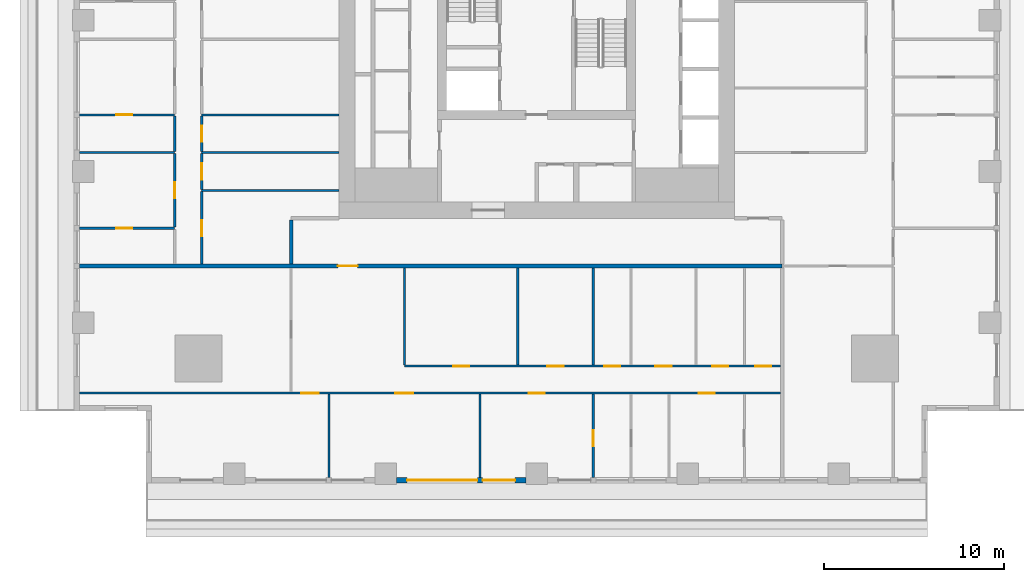
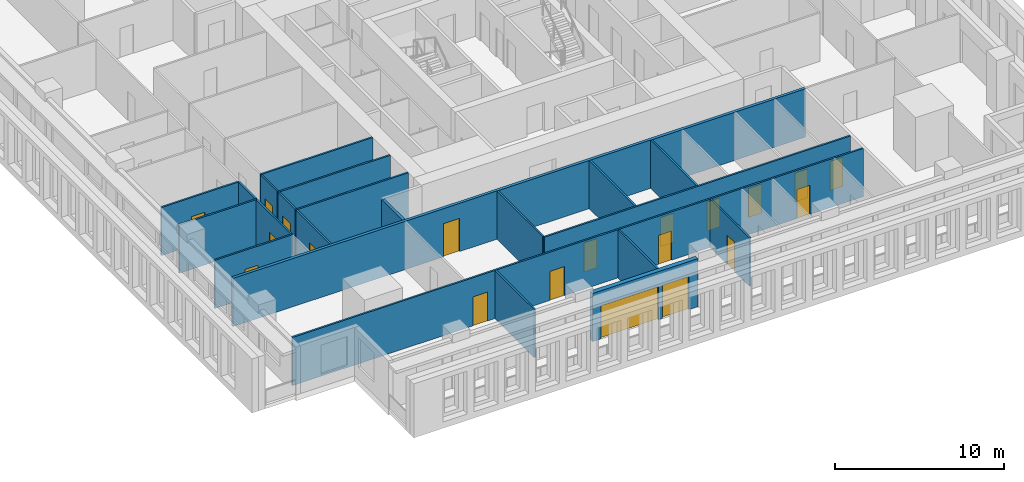
# One storey, part 2 of 16: 22 walls, 20 doors, 20 openings.
"""IFC4 building model written with IfcOpenShell, lengths in metres."""

from ifc_helpers import new_model, si_unit, direction, frame, frame_2d, origin, place, context, subcontext, project, spatial, rectangle, extrude, material, layer, layer_set, type_object, element, fill, save


model = new_model("IFC4")

# Units and contexts
model_context = context("Model", 3, precision=1e-05, world=origin(), true_north=direction((0.0, 1.0)))
body_context = subcontext(model_context, "Body", "Model", "MODEL_VIEW")
ifc_project = project(units=[si_unit("LENGTHUNIT", "METRE"), si_unit("AREAUNIT", "SQUARE_METRE"), si_unit("VOLUMEUNIT", "CUBIC_METRE"), si_unit("PLANEANGLEUNIT", "RADIAN"), si_unit("MASSUNIT", "GRAM", prefix="KILO")], contexts=[model_context])

# Site, building, storey
site_placement = place(None, origin())
site = spatial("IfcSite", under=ifc_project, at=site_placement, CompositionType="ELEMENT")
building_placement = place(site_placement, origin())
building = spatial("IfcBuilding", under=site, at=building_placement, Name="Khepri Terraces", CompositionType="ELEMENT")
storey_placement = place(building_placement, frame((0.0, 0.0, 153.300048828125)))
storey = spatial("IfcBuildingStorey", under=building, at=storey_placement, Name="L36", CompositionType="ELEMENT", Elevation=153.300048828125)

# Wall, opening, door
ifc_material_1 = material(Name="Fire-rated gypsum plasterboard partition, mineral wool")
ifc_layer_1 = layer(ifc_material_1, 0.199951171875, Name="Fire-rated gypsum plasterboard partition, mineral wool")
ifc_layer_set_1 = layer_set([ifc_layer_1], Name="Fire-rated gypsum plasterboard partition, mineral wool")
wall_type_1 = type_object("IfcWallType", Name="WL-CORR-200", PredefinedType="PARTITIONING", material=ifc_layer_set_1)
wall_1_placement = place(storey_placement, frame((-25.419921875, -13.64990234375, 0.0), z_axis=(0.0, 0.0, 1.0), x_axis=(1.0, 0.0, 0.0)))
wall_1 = element("IfcWall", 1, at=wall_1_placement, inside=storey, type_object=wall_type_1, Name="Partition P-019 L36", PredefinedType="PARTITIONING", context=body_context, shape_type="SweptSolid", body=[
    extrude(rectangle(XDim=39.06982421875, YDim=0.199951171875, at=frame_2d((19.534912109375, 0.0))), origin(), (0.0, 0.0, 1.0), 3.47998046875),
])
opening_1_placement = place(wall_1_placement, frame((14.3701171875, 0.0, 0.0)))
opening_1 = element("IfcOpeningElement", 2, at=opening_1_placement, cuts=wall_1, Name="Opening D1", PredefinedType="OPENING", context=body_context, shape_type="SweptSolid", body=[
    extrude(rectangle(XDim=1.10009765625, YDim=2.39990234375, at=frame_2d((0.550048828125, 1.199951171875))), frame((0.0, 0.10986328125, 0.0), z_axis=(0.0, -1.0, 0.0), x_axis=(1.0, 0.0, 0.0)), (0.0, 0.0, 1.0), 0.219970703125),
])
ifc_material_2 = material(Name="Solid-core timber door leaf, flat entrance door", Category="wood")
door_type_1 = type_object("IfcDoorType", Name="DR-ENT-1100", OperationType="NOTDEFINED", PredefinedType="DOOR", material=ifc_material_2)
door_1_placement = place(opening_1_placement, frame((1.10009765625, 0.0, 0.0), z_axis=(0.0, 0.0, 1.0), x_axis=(-1.0, 0.0, 0.0)))
door_1 = element("IfcDoor", 3, at=door_1_placement, inside=storey, type_object=door_type_1, Name="Flat A1 entrance door", OperationType="SINGLE_SWING_RIGHT", OverallHeight=2.39990234375, OverallWidth=1.10009765625, PredefinedType="DOOR", context=body_context, shape_type="SweptSolid", body=[
    extrude(rectangle(XDim=1.10009765625, YDim=2.39990234375, at=frame_2d((0.550048828125, 1.199951171875))), frame((0.0, 0.02490234375, 0.0), z_axis=(0.0, -1.0, 0.0), x_axis=(1.0, 0.0, 0.0)), (0.0, 0.0, 1.0), 0.050048828125),
])
fill(opening_1, door_1)

# Wall
wall_2_placement = place(storey_placement, frame((-13.64990234375, -13.550048828125, 0.0), z_axis=(0.0, 0.0, 1.0), x_axis=(0.0, 1.0, 0.0)))
element("IfcWall", 4, at=wall_2_placement, inside=storey, type_object=wall_type_1, Name="Partition P-024 L36", PredefinedType="PARTITIONING", context=body_context, shape_type="SweptSolid", body=[
    extrude(rectangle(XDim=2.449951171875, YDim=0.199951171875, at=frame_2d((1.22509765625, 0.0))), origin(), (0.0, 0.0, 1.0), 3.47998046875),
])

# Wall, openings, doors
ifc_material_3 = material(Name="Precast concrete C50/60 warm stone", Category="masonry")
ifc_layer_2 = layer(ifc_material_3, 0.300048828125, Name="Precast concrete C50/60 warm stone", Category="masonry")
ifc_layer_set_2 = layer_set([ifc_layer_2], Name="Precast concrete C50/60 warm stone")
wall_type_2 = type_object("IfcWallType", Name="WL-EXT-PRECAST-300", PredefinedType="STANDARD", material=ifc_layer_set_2)
wall_3_placement = place(storey_placement, frame((-7.800048828125, -25.570068359375, 0.0), z_axis=(0.0, 0.0, 1.0), x_axis=(1.0, 0.0, 0.0)))
wall_3 = element("IfcWall", 5, at=wall_3_placement, inside=storey, type_object=wall_type_2, Name="External wall L36 S", PredefinedType="STANDARD", context=body_context, shape_type="SweptSolid", body=[
    extrude(rectangle(XDim=7.199951171875, YDim=0.300048828125, at=frame_2d((3.60009765625, 0.0))), origin(), (0.0, 0.0, 1.0), 3.47998046875),
])
opening_2_placement = place(wall_3_placement, frame((0.60009765625, 0.0, 0.0)))
opening_2 = element("IfcOpeningElement", 6, at=opening_2_placement, cuts=wall_3, Name="Opening ED-L36-16", PredefinedType="OPENING", context=body_context, shape_type="SweptSolid", body=[
    extrude(rectangle(XDim=3.89990234375, YDim=2.39990234375, at=frame_2d((1.949951171875, 1.199951171875))), frame((0.0, 0.16015625, 0.0), z_axis=(0.0, -1.0, 0.0), x_axis=(1.0, 0.0, 0.0)), (0.0, 0.0, 1.0), 0.320068359375),
])
opening_3_placement = place(wall_3_placement, frame((4.800048828125, 0.0, 0.0)))
opening_3 = element("IfcOpeningElement", 7, at=opening_3_placement, cuts=wall_3, Name="Opening ED-L36-17", PredefinedType="OPENING", context=body_context, shape_type="SweptSolid", body=[
    extrude(rectangle(XDim=1.800048828125, YDim=2.39990234375, at=frame_2d((0.89990234375, 1.199951171875))), frame((0.0, 0.16015625, 0.0), z_axis=(0.0, -1.0, 0.0), x_axis=(1.0, 0.0, 0.0)), (0.0, 0.0, 1.0), 0.320068359375),
])
ifc_material_4 = material(Name="Anodised aluminium bronze glazed door", Category="aluminium")
door_type_2 = type_object("IfcDoorType", Name="DR-BAL-SLIDE-1800x2400", OperationType="NOTDEFINED", PredefinedType="DOOR", material=ifc_material_4)
door_2_placement = place(opening_3_placement, origin())
door_2 = element("IfcDoor", 8, at=door_2_placement, inside=storey, type_object=door_type_2, Name="Balcony door L36 S", OperationType="SLIDING_TO_RIGHT", OverallHeight=2.39990234375, OverallWidth=1.800048828125, PredefinedType="DOOR", context=body_context, shape_type="SweptSolid", body=[
    extrude(rectangle(XDim=1.800048828125, YDim=2.39990234375, at=frame_2d((0.89990234375, 1.199951171875))), frame((0.0, 0.02490234375, 0.0), z_axis=(0.0, -1.0, 0.0), x_axis=(1.0, 0.0, 0.0)), (0.0, 0.0, 1.0), 0.050048828125),
])
fill(opening_3, door_2)
door_type_3 = type_object("IfcDoorType", Name="DR-BAL-SLIDE-3900x2400", OperationType="NOTDEFINED", PredefinedType="DOOR", material=ifc_material_4)
door_3_placement = place(opening_2_placement, origin())
door_3 = element("IfcDoor", 9, at=door_3_placement, inside=storey, type_object=door_type_3, Name="Balcony door L36 S", OperationType="SLIDING_TO_LEFT", OverallHeight=2.39990234375, OverallWidth=3.89990234375, PredefinedType="DOOR", context=body_context, shape_type="SweptSolid", body=[
    extrude(rectangle(XDim=3.89990234375, YDim=2.39990234375, at=frame_2d((1.949951171875, 1.199951171875))), frame((0.0, 0.02490234375, 0.0), z_axis=(0.0, -1.0, 0.0), x_axis=(1.0, 0.0, 0.0)), (0.0, 0.0, 1.0), 0.050048828125),
])
fill(opening_2, door_3)

# Walls
ifc_material_5 = material(Name="Gypsum plasterboard partition")
ifc_layer_3 = layer(ifc_material_5, 0.1201171875, Name="Gypsum plasterboard partition")
ifc_layer_set_3 = layer_set([ifc_layer_3], Name="Gypsum plasterboard partition")
wall_type_3 = type_object("IfcWallType", Name="WL-PART-120", PredefinedType="PARTITIONING", material=ifc_layer_set_3)
for number, where, z_axis, x_axis, name in (
    (10, (-11.550048828125, -25.419921875, 0.0), (0.0, 0.0, 1.0), (0.0, 1.0, 0.0), "Partition P-001 L36"),
    (11, (-3.14990234375, -25.419921875, 0.0), (0.0, 0.0, 1.0), (0.0, 1.0, 0.0), "Partition P-002 L36"),
):
    element("IfcWall", number, at=place(storey_placement, frame(where, z_axis=z_axis, x_axis=x_axis)), inside=storey, type_object=wall_type_3, Name=name, PredefinedType="PARTITIONING", context=body_context, shape_type="SweptSolid", body=[
        extrude(rectangle(XDim=4.639892578125, YDim=0.1201171875, at=frame_2d((2.31982421875, 0.0))), origin(), (0.0, 0.0, 1.0), 3.47998046875),
    ])

# Wall, opening, door
wall_4_placement = place(storey_placement, frame((3.14990234375, -25.419921875, 0.0), z_axis=(0.0, 0.0, 1.0), x_axis=(0.0, 1.0, 0.0)))
wall_4 = element("IfcWall", 12, at=wall_4_placement, inside=storey, type_object=wall_type_3, Name="Partition P-003 L36", PredefinedType="PARTITIONING", context=body_context, shape_type="SweptSolid", body=[
    extrude(rectangle(XDim=4.639892578125, YDim=0.1201171875, at=frame_2d((2.31982421875, 0.0))), origin(), (0.0, 0.0, 1.0), 3.47998046875),
])
opening_4_placement = place(wall_4_placement, frame((1.75, 0.0, 0.0)))
opening_4 = element("IfcOpeningElement", 13, at=opening_4_placement, cuts=wall_4, Name="Opening D3", PredefinedType="OPENING", context=body_context, shape_type="SweptSolid", body=[
    extrude(rectangle(XDim=0.89990234375, YDim=2.10009765625, at=frame_2d((0.449951171875, 1.050048828125))), frame((0.0, 0.070068359375, 0.0), z_axis=(0.0, -1.0, 0.0), x_axis=(1.0, 0.0, 0.0)), (0.0, 0.0, 1.0), 0.14013671875),
])
ifc_material_6 = material(Name="Timber door leaf", Category="wood")
door_type_4 = type_object("IfcDoorType", Name="DR-INT-900", OperationType="NOTDEFINED", PredefinedType="DOOR", material=ifc_material_6)
door_4_placement = place(opening_4_placement, frame((0.89990234375, 0.0, 0.0), z_axis=(0.0, 0.0, 1.0), x_axis=(-1.0, 0.0, 0.0)))
door_4 = element("IfcDoor", 14, at=door_4_placement, inside=storey, type_object=door_type_4, Name="Door Dressing Room", OperationType="SINGLE_SWING_RIGHT", OverallHeight=2.10009765625, OverallWidth=0.89990234375, PredefinedType="DOOR", context=body_context, shape_type="SweptSolid", body=[
    extrude(rectangle(XDim=0.89990234375, YDim=2.10009765625, at=frame_2d((0.449951171875, 1.050048828125))), frame((0.0, 0.02490234375, 0.0), z_axis=(0.0, -1.0, 0.0), x_axis=(1.0, 0.0, 0.0)), (0.0, 0.0, 1.0), 0.050048828125),
])
fill(opening_4, door_4)

# Wall, openings, doors
wall_5_placement = place(storey_placement, frame((-25.419921875, -20.719970703125, 0.0), z_axis=(0.0, 0.0, 1.0), x_axis=(1.0, 0.0, 0.0)))
wall_5 = element("IfcWall", 15, at=wall_5_placement, inside=storey, type_object=wall_type_3, Name="Partition P-009 L36", PredefinedType="PARTITIONING", context=body_context, shape_type="SweptSolid", body=[
    extrude(rectangle(XDim=38.969970703125, YDim=0.1201171875, at=frame_2d((19.48486328125, 0.0))), origin(), (0.0, 0.0, 1.0), 3.47998046875),
])
opening_5_placement = place(wall_5_placement, frame((12.320068359375, 0.0, 0.0)))
opening_5 = element("IfcOpeningElement", 16, at=opening_5_placement, cuts=wall_5, Name="Opening D2", PredefinedType="OPENING", context=body_context, shape_type="SweptSolid", body=[
    extrude(rectangle(XDim=1.0, YDim=2.10009765625, at=frame_2d((0.5, 1.050048828125))), frame((0.0, 0.070068359375, 0.0), z_axis=(0.0, -1.0, 0.0), x_axis=(1.0, 0.0, 0.0)), (0.0, 0.0, 1.0), 0.14013671875),
])
opening_6_placement = place(wall_5_placement, frame((17.570068359375, 0.0, 0.0)))
opening_6 = element("IfcOpeningElement", 17, at=opening_6_placement, cuts=wall_5, Name="Opening D2", PredefinedType="OPENING", context=body_context, shape_type="SweptSolid", body=[
    extrude(rectangle(XDim=1.0, YDim=2.10009765625, at=frame_2d((0.5, 1.050048828125))), frame((0.0, 0.070068359375, 0.0), z_axis=(0.0, -1.0, 0.0), x_axis=(1.0, 0.0, 0.0)), (0.0, 0.0, 1.0), 0.14013671875),
])
opening_7_placement = place(wall_5_placement, frame((24.969970703125, 0.0, 0.0)))
opening_7 = element("IfcOpeningElement", 18, at=opening_7_placement, cuts=wall_5, Name="Opening D3", PredefinedType="OPENING", context=body_context, shape_type="SweptSolid", body=[
    extrude(rectangle(XDim=0.89990234375, YDim=2.10009765625, at=frame_2d((0.449951171875, 1.050048828125))), frame((0.0, 0.070068359375, 0.0), z_axis=(0.0, -1.0, 0.0), x_axis=(1.0, 0.0, 0.0)), (0.0, 0.0, 1.0), 0.14013671875),
])
opening_8_placement = place(wall_5_placement, frame((34.419921875, 0.0, 0.0)))
opening_8 = element("IfcOpeningElement", 19, at=opening_8_placement, cuts=wall_5, Name="Opening D3", PredefinedType="OPENING", context=body_context, shape_type="SweptSolid", body=[
    extrude(rectangle(XDim=0.89990234375, YDim=2.10009765625, at=frame_2d((0.449951171875, 1.050048828125))), frame((0.0, 0.070068359375, 0.0), z_axis=(0.0, -1.0, 0.0), x_axis=(1.0, 0.0, 0.0)), (0.0, 0.0, 1.0), 0.14013671875),
])
ifc_material_7 = material(Name="Timber door leaf, living room door", Category="wood")
door_type_5 = type_object("IfcDoorType", Name="DR-INT-1000", OperationType="NOTDEFINED", PredefinedType="DOOR", material=ifc_material_7)
door_5_placement = place(opening_5_placement, frame((1.0, 0.0, 0.0), z_axis=(0.0, 0.0, 1.0), x_axis=(-1.0, 0.0, 0.0)))
door_5 = element("IfcDoor", 20, at=door_5_placement, inside=storey, type_object=door_type_5, Name="Door Sun Lounge", OperationType="SINGLE_SWING_RIGHT", OverallHeight=2.10009765625, OverallWidth=1.0, PredefinedType="DOOR", context=body_context, shape_type="SweptSolid", body=[
    extrude(rectangle(XDim=1.0, YDim=2.10009765625, at=frame_2d((0.5, 1.050048828125))), frame((0.0, 0.02490234375, 0.0), z_axis=(0.0, -1.0, 0.0), x_axis=(1.0, 0.0, 0.0)), (0.0, 0.0, 1.0), 0.050048828125),
])
fill(opening_5, door_5)
door_6_placement = place(opening_6_placement, frame((1.0, 0.0, 0.0), z_axis=(0.0, 0.0, 1.0), x_axis=(-1.0, 0.0, 0.0)))
door_6 = element("IfcDoor", 21, at=door_6_placement, inside=storey, type_object=door_type_5, Name="Door Living Room", OperationType="SINGLE_SWING_RIGHT", OverallHeight=2.10009765625, OverallWidth=1.0, PredefinedType="DOOR", context=body_context, shape_type="SweptSolid", body=[
    extrude(rectangle(XDim=1.0, YDim=2.10009765625, at=frame_2d((0.5, 1.050048828125))), frame((0.0, 0.02490234375, 0.0), z_axis=(0.0, -1.0, 0.0), x_axis=(1.0, 0.0, 0.0)), (0.0, 0.0, 1.0), 0.050048828125),
])
fill(opening_6, door_6)
door_7_placement = place(opening_7_placement, frame((0.89990234375, 0.0, 0.0), z_axis=(0.0, 0.0, 1.0), x_axis=(-1.0, 0.0, 0.0)))
door_7 = element("IfcDoor", 22, at=door_7_placement, inside=storey, type_object=door_type_4, Name="Door Master Bedroom", OperationType="SINGLE_SWING_LEFT", OverallHeight=2.10009765625, OverallWidth=0.89990234375, PredefinedType="DOOR", context=body_context, shape_type="SweptSolid", body=[
    extrude(rectangle(XDim=0.89990234375, YDim=2.10009765625, at=frame_2d((0.449951171875, 1.050048828125))), frame((0.0, 0.02490234375, 0.0), z_axis=(0.0, -1.0, 0.0), x_axis=(1.0, 0.0, 0.0)), (0.0, 0.0, 1.0), 0.050048828125),
])
fill(opening_7, door_7)
door_8_placement = place(opening_8_placement, frame((0.89990234375, 0.0, 0.0), z_axis=(0.0, 0.0, 1.0), x_axis=(-1.0, 0.0, 0.0)))
door_8 = element("IfcDoor", 23, at=door_8_placement, inside=storey, type_object=door_type_4, Name="Door Bedroom", OperationType="SINGLE_SWING_LEFT", OverallHeight=2.10009765625, OverallWidth=0.89990234375, PredefinedType="DOOR", context=body_context, shape_type="SweptSolid", body=[
    extrude(rectangle(XDim=0.89990234375, YDim=2.10009765625, at=frame_2d((0.449951171875, 1.050048828125))), frame((0.0, 0.02490234375, 0.0), z_axis=(0.0, -1.0, 0.0), x_axis=(1.0, 0.0, 0.0)), (0.0, 0.0, 1.0), 0.050048828125),
])
fill(opening_8, door_8)

wall_6_placement = place(storey_placement, frame((-7.35009765625, -19.219970703125, 0.0), z_axis=(0.0, 0.0, 1.0), x_axis=(1.0, 0.0, 0.0)))
wall_6 = element("IfcWall", 24, at=wall_6_placement, inside=storey, type_object=wall_type_3, Name="Partition P-011 L36", PredefinedType="PARTITIONING", context=body_context, shape_type="SweptSolid", body=[
    extrude(rectangle(XDim=20.900146484375, YDim=0.1201171875, at=frame_2d((10.4501953125, 0.0))), origin(), (0.0, 0.0, 1.0), 3.47998046875),
])
opening_9_placement = place(wall_6_placement, frame((2.699951171875, 0.0, 0.0)))
opening_9 = element("IfcOpeningElement", 25, at=opening_9_placement, cuts=wall_6, Name="Opening D3", PredefinedType="OPENING", context=body_context, shape_type="SweptSolid", body=[
    extrude(rectangle(XDim=0.89990234375, YDim=2.10009765625, at=frame_2d((0.449951171875, 1.050048828125))), frame((0.0, 0.070068359375, 0.0), z_axis=(0.0, -1.0, 0.0), x_axis=(1.0, 0.0, 0.0)), (0.0, 0.0, 1.0), 0.14013671875),
])
opening_10_placement = place(wall_6_placement, frame((7.949951171875, 0.0, 0.0)))
opening_10 = element("IfcOpeningElement", 26, at=opening_10_placement, cuts=wall_6, Name="Opening D3", PredefinedType="OPENING", context=body_context, shape_type="SweptSolid", body=[
    extrude(rectangle(XDim=0.89990234375, YDim=2.10009765625, at=frame_2d((0.449951171875, 1.050048828125))), frame((0.0, 0.070068359375, 0.0), z_axis=(0.0, -1.0, 0.0), x_axis=(1.0, 0.0, 0.0)), (0.0, 0.0, 1.0), 0.14013671875),
])
opening_11_placement = place(wall_6_placement, frame((11.10009765625, 0.0, 0.0)))
opening_11 = element("IfcOpeningElement", 27, at=opening_11_placement, cuts=wall_6, Name="Opening D4", PredefinedType="OPENING", context=body_context, shape_type="SweptSolid", body=[
    extrude(rectangle(XDim=0.89990234375, YDim=2.10009765625, at=frame_2d((0.449951171875, 1.050048828125))), frame((0.0, 0.070068359375, 0.0), z_axis=(0.0, -1.0, 0.0), x_axis=(1.0, 0.0, 0.0)), (0.0, 0.0, 1.0), 0.14013671875),
])
opening_12_placement = place(wall_6_placement, frame((13.949951171875, 0.0, 0.0)))
opening_12 = element("IfcOpeningElement", 28, at=opening_12_placement, cuts=wall_6, Name="Opening D3", PredefinedType="OPENING", context=body_context, shape_type="SweptSolid", body=[
    extrude(rectangle(XDim=0.89990234375, YDim=2.10009765625, at=frame_2d((0.449951171875, 1.050048828125))), frame((0.0, 0.070068359375, 0.0), z_axis=(0.0, -1.0, 0.0), x_axis=(1.0, 0.0, 0.0)), (0.0, 0.0, 1.0), 0.14013671875),
])
opening_13_placement = place(wall_6_placement, frame((17.10009765625, 0.0, 0.0)))
opening_13 = element("IfcOpeningElement", 29, at=opening_13_placement, cuts=wall_6, Name="Opening D4", PredefinedType="OPENING", context=body_context, shape_type="SweptSolid", body=[
    extrude(rectangle(XDim=0.89990234375, YDim=2.10009765625, at=frame_2d((0.449951171875, 1.050048828125))), frame((0.0, 0.070068359375, 0.0), z_axis=(0.0, -1.0, 0.0), x_axis=(1.0, 0.0, 0.0)), (0.0, 0.0, 1.0), 0.14013671875),
])
opening_14_placement = place(wall_6_placement, frame((19.5, 0.0, 0.0)))
opening_14 = element("IfcOpeningElement", 30, at=opening_14_placement, cuts=wall_6, Name="Opening D3", PredefinedType="OPENING", context=body_context, shape_type="SweptSolid", body=[
    extrude(rectangle(XDim=0.89990234375, YDim=2.10009765625, at=frame_2d((0.449951171875, 1.050048828125))), frame((0.0, 0.070068359375, 0.0), z_axis=(0.0, -1.0, 0.0), x_axis=(1.0, 0.0, 0.0)), (0.0, 0.0, 1.0), 0.14013671875),
])
door_9_placement = place(opening_9_placement, origin())
door_9 = element("IfcDoor", 31, at=door_9_placement, inside=storey, type_object=door_type_4, Name="Door Kitchen", OperationType="SINGLE_SWING_LEFT", OverallHeight=2.10009765625, OverallWidth=0.89990234375, PredefinedType="DOOR", context=body_context, shape_type="SweptSolid", body=[
    extrude(rectangle(XDim=0.89990234375, YDim=2.10009765625, at=frame_2d((0.449951171875, 1.050048828125))), frame((0.0, 0.02490234375, 0.0), z_axis=(0.0, -1.0, 0.0), x_axis=(1.0, 0.0, 0.0)), (0.0, 0.0, 1.0), 0.050048828125),
])
fill(opening_9, door_9)
door_10_placement = place(opening_10_placement, origin())
door_10 = element("IfcDoor", 32, at=door_10_placement, inside=storey, type_object=door_type_4, Name="Door Utility Room", OperationType="SINGLE_SWING_LEFT", OverallHeight=2.10009765625, OverallWidth=0.89990234375, PredefinedType="DOOR", context=body_context, shape_type="SweptSolid", body=[
    extrude(rectangle(XDim=0.89990234375, YDim=2.10009765625, at=frame_2d((0.449951171875, 1.050048828125))), frame((0.0, 0.02490234375, 0.0), z_axis=(0.0, -1.0, 0.0), x_axis=(1.0, 0.0, 0.0)), (0.0, 0.0, 1.0), 0.050048828125),
])
fill(opening_10, door_10)
door_11_placement = place(opening_12_placement, origin())
door_11 = element("IfcDoor", 33, at=door_11_placement, inside=storey, type_object=door_type_4, Name="Door Staff Bedroom", OperationType="SINGLE_SWING_RIGHT", OverallHeight=2.10009765625, OverallWidth=0.89990234375, PredefinedType="DOOR", context=body_context, shape_type="SweptSolid", body=[
    extrude(rectangle(XDim=0.89990234375, YDim=2.10009765625, at=frame_2d((0.449951171875, 1.050048828125))), frame((0.0, 0.02490234375, 0.0), z_axis=(0.0, -1.0, 0.0), x_axis=(1.0, 0.0, 0.0)), (0.0, 0.0, 1.0), 0.050048828125),
])
fill(opening_12, door_11)
door_12_placement = place(opening_14_placement, origin())
door_12 = element("IfcDoor", 34, at=door_12_placement, inside=storey, type_object=door_type_4, Name="Door Utility Room", OperationType="SINGLE_SWING_RIGHT", OverallHeight=2.10009765625, OverallWidth=0.89990234375, PredefinedType="DOOR", context=body_context, shape_type="SweptSolid", body=[
    extrude(rectangle(XDim=0.89990234375, YDim=2.10009765625, at=frame_2d((0.449951171875, 1.050048828125))), frame((0.0, 0.02490234375, 0.0), z_axis=(0.0, -1.0, 0.0), x_axis=(1.0, 0.0, 0.0)), (0.0, 0.0, 1.0), 0.050048828125),
])
fill(opening_14, door_12)
ifc_material_8 = material(Name="Timber door leaf, moisture resistant", Category="wood")
door_type_6 = type_object("IfcDoorType", Name="DR-WET-900", OperationType="NOTDEFINED", PredefinedType="DOOR", material=ifc_material_8)
door_13_placement = place(opening_11_placement, origin())
door_13 = element("IfcDoor", 35, at=door_13_placement, inside=storey, type_object=door_type_6, Name="Door Powder Room", OperationType="SINGLE_SWING_RIGHT", OverallHeight=2.10009765625, OverallWidth=0.89990234375, PredefinedType="DOOR", context=body_context, shape_type="SweptSolid", body=[
    extrude(rectangle(XDim=0.89990234375, YDim=2.10009765625, at=frame_2d((0.449951171875, 1.050048828125))), frame((0.0, 0.02490234375, 0.0), z_axis=(0.0, -1.0, 0.0), x_axis=(1.0, 0.0, 0.0)), (0.0, 0.0, 1.0), 0.050048828125),
])
fill(opening_11, door_13)
door_14_placement = place(opening_13_placement, origin())
door_14 = element("IfcDoor", 36, at=door_14_placement, inside=storey, type_object=door_type_6, Name="Door Guest Bathroom", OperationType="SINGLE_SWING_RIGHT", OverallHeight=2.10009765625, OverallWidth=0.89990234375, PredefinedType="DOOR", context=body_context, shape_type="SweptSolid", body=[
    extrude(rectangle(XDim=0.89990234375, YDim=2.10009765625, at=frame_2d((0.449951171875, 1.050048828125))), frame((0.0, 0.02490234375, 0.0), z_axis=(0.0, -1.0, 0.0), x_axis=(1.0, 0.0, 0.0)), (0.0, 0.0, 1.0), 0.050048828125),
])
fill(opening_13, door_14)

# Walls
for number, where, z_axis, x_axis, name in (
    (37, (-7.35009765625, -19.159912109375, 0.0), (0.0, 0.0, 1.0), (0.0, 1.0, 0.0), "Partition P-012 L36"),
    (38, (-1.050048828125, -19.159912109375, 0.0), (0.0, 0.0, 1.0), (0.0, 1.0, 0.0), "Partition P-013 L36"),
    (39, (3.14990234375, -19.159912109375, 0.0), (0.0, 0.0, 1.0), (0.0, 1.0, 0.0), "Partition P-014 L36"),
):
    element("IfcWall", number, at=place(storey_placement, frame(where, z_axis=z_axis, x_axis=x_axis)), inside=storey, type_object=wall_type_3, Name=name, PredefinedType="PARTITIONING", context=body_context, shape_type="SweptSolid", body=[
        extrude(rectangle(XDim=5.409912109375, YDim=0.1201171875, at=frame_2d((2.705078125, 0.0))), origin(), (0.0, 0.0, 1.0), 3.47998046875),
    ])

# Wall, opening, door
wall_7_placement = place(storey_placement, frame((-18.6201171875, -13.550048828125, 0.0), z_axis=(0.0, 0.0, 1.0), x_axis=(0.0, 1.0, 0.0)))
wall_7 = element("IfcWall", 40, at=wall_7_placement, inside=storey, type_object=wall_type_3, Name="Partition P-023 L36", PredefinedType="PARTITIONING", context=body_context, shape_type="SweptSolid", body=[
    extrude(rectangle(XDim=4.0400390625, YDim=0.1201171875, at=frame_2d((2.02001953125, 0.0))), origin(), (0.0, 0.0, 1.0), 3.47998046875),
])
opening_15_placement = place(wall_7_placement, frame((1.550048828125, 0.0, 0.0)))
opening_15 = element("IfcOpeningElement", 41, at=opening_15_placement, cuts=wall_7, Name="Opening D3", PredefinedType="OPENING", context=body_context, shape_type="SweptSolid", body=[
    extrude(rectangle(XDim=0.89990234375, YDim=2.10009765625, at=frame_2d((0.449951171875, 1.050048828125))), frame((0.0, 0.070068359375, 0.0), z_axis=(0.0, -1.0, 0.0), x_axis=(1.0, 0.0, 0.0)), (0.0, 0.0, 1.0), 0.14013671875),
])
door_15_placement = place(opening_15_placement, frame((0.89990234375, 0.0, 0.0), z_axis=(0.0, 0.0, 1.0), x_axis=(-1.0, 0.0, 0.0)))
door_15 = element("IfcDoor", 42, at=door_15_placement, inside=storey, type_object=door_type_4, Name="Door Library", OperationType="SINGLE_SWING_RIGHT", OverallHeight=2.10009765625, OverallWidth=0.89990234375, PredefinedType="DOOR", context=body_context, shape_type="SweptSolid", body=[
    extrude(rectangle(XDim=0.89990234375, YDim=2.10009765625, at=frame_2d((0.449951171875, 1.050048828125))), frame((0.0, 0.02490234375, 0.0), z_axis=(0.0, -1.0, 0.0), x_axis=(1.0, 0.0, 0.0)), (0.0, 0.0, 1.0), 0.050048828125),
])
fill(opening_15, door_15)

wall_8_placement = place(storey_placement, frame((-25.419921875, -11.550048828125, 0.0), z_axis=(0.0, 0.0, 1.0), x_axis=(1.0, 0.0, 0.0)))
wall_8 = element("IfcWall", 43, at=wall_8_placement, inside=storey, type_object=wall_type_3, Name="Partition P-026 L36", PredefinedType="PARTITIONING", context=body_context, shape_type="SweptSolid", body=[
    extrude(rectangle(XDim=5.2998046875, YDim=0.1201171875, at=frame_2d((2.64990234375, 0.0))), origin(), (0.0, 0.0, 1.0), 3.47998046875),
])
opening_16_placement = place(wall_8_placement, frame((2.050048828125, 0.0, 0.0)))
opening_16 = element("IfcOpeningElement", 44, at=opening_16_placement, cuts=wall_8, Name="Opening D4", PredefinedType="OPENING", context=body_context, shape_type="SweptSolid", body=[
    extrude(rectangle(XDim=0.89990234375, YDim=2.10009765625, at=frame_2d((0.449951171875, 1.050048828125))), frame((0.0, 0.070068359375, 0.0), z_axis=(0.0, -1.0, 0.0), x_axis=(1.0, 0.0, 0.0)), (0.0, 0.0, 1.0), 0.14013671875),
])
door_16_placement = place(opening_16_placement, frame((0.89990234375, 0.0, 0.0), z_axis=(0.0, 0.0, 1.0), x_axis=(-1.0, 0.0, 0.0)))
door_16 = element("IfcDoor", 45, at=door_16_placement, inside=storey, type_object=door_type_6, Name="Door Bathroom", OperationType="SINGLE_SWING_RIGHT", OverallHeight=2.10009765625, OverallWidth=0.89990234375, PredefinedType="DOOR", context=body_context, shape_type="SweptSolid", body=[
    extrude(rectangle(XDim=0.89990234375, YDim=2.10009765625, at=frame_2d((0.449951171875, 1.050048828125))), frame((0.0, 0.02490234375, 0.0), z_axis=(0.0, -1.0, 0.0), x_axis=(1.0, 0.0, 0.0)), (0.0, 0.0, 1.0), 0.050048828125),
])
fill(opening_16, door_16)

wall_9_placement = place(storey_placement, frame((-20.1201171875, -11.489990234375, 0.0), z_axis=(0.0, 0.0, 1.0), x_axis=(0.0, 1.0, 0.0)))
wall_9 = element("IfcWall", 46, at=wall_9_placement, inside=storey, type_object=wall_type_3, Name="Partition P-028 L36", PredefinedType="PARTITIONING", context=body_context, shape_type="SweptSolid", body=[
    extrude(rectangle(XDim=4.080078125, YDim=0.1201171875, at=frame_2d((2.0400390625, 0.0))), origin(), (0.0, 0.0, 1.0), 3.47998046875),
])
opening_17_placement = place(wall_9_placement, frame((1.590087890625, 0.0, 0.0)))
opening_17 = element("IfcOpeningElement", 47, at=opening_17_placement, cuts=wall_9, Name="Opening D3", PredefinedType="OPENING", context=body_context, shape_type="SweptSolid", body=[
    extrude(rectangle(XDim=0.89990234375, YDim=2.10009765625, at=frame_2d((0.449951171875, 1.050048828125))), frame((0.0, 0.070068359375, 0.0), z_axis=(0.0, -1.0, 0.0), x_axis=(1.0, 0.0, 0.0)), (0.0, 0.0, 1.0), 0.14013671875),
])
door_17_placement = place(opening_17_placement, origin())
door_17 = element("IfcDoor", 48, at=door_17_placement, inside=storey, type_object=door_type_4, Name="Door Bedroom", OperationType="SINGLE_SWING_RIGHT", OverallHeight=2.10009765625, OverallWidth=0.89990234375, PredefinedType="DOOR", context=body_context, shape_type="SweptSolid", body=[
    extrude(rectangle(XDim=0.89990234375, YDim=2.10009765625, at=frame_2d((0.449951171875, 1.050048828125))), frame((0.0, 0.02490234375, 0.0), z_axis=(0.0, -1.0, 0.0), x_axis=(1.0, 0.0, 0.0)), (0.0, 0.0, 1.0), 0.050048828125),
])
fill(opening_17, door_17)

# Wall
wall_10_placement = place(storey_placement, frame((-18.6201171875, -9.449951171875, 0.0), z_axis=(0.0, 0.0, 1.0), x_axis=(1.0, 0.0, 0.0)))
element("IfcWall", 49, at=wall_10_placement, inside=storey, type_object=wall_type_3, Name="Partition P-032 L36", PredefinedType="PARTITIONING", context=body_context, shape_type="SweptSolid", body=[
    extrude(rectangle(XDim=7.6201171875, YDim=0.1201171875, at=frame_2d((3.81005859375, 0.0))), origin(), (0.0, 0.0, 1.0), 3.47998046875),
])

# Wall, opening, door
wall_11_placement = place(storey_placement, frame((-18.6201171875, -9.389892578125, 0.0), z_axis=(0.0, 0.0, 1.0), x_axis=(0.0, 1.0, 0.0)))
wall_11 = element("IfcWall", 50, at=wall_11_placement, inside=storey, type_object=wall_type_3, Name="Partition P-033 L36", PredefinedType="PARTITIONING", context=body_context, shape_type="SweptSolid", body=[
    extrude(rectangle(XDim=1.97998046875, YDim=0.1201171875, at=frame_2d((0.989990234375, 0.0))), origin(), (0.0, 0.0, 1.0), 3.47998046875),
])
opening_18_placement = place(wall_11_placement, frame((0.5400390625, 0.0, 0.0)))
opening_18 = element("IfcOpeningElement", 51, at=opening_18_placement, cuts=wall_11, Name="Opening D4", PredefinedType="OPENING", context=body_context, shape_type="SweptSolid", body=[
    extrude(rectangle(XDim=0.89990234375, YDim=2.10009765625, at=frame_2d((0.449951171875, 1.050048828125))), frame((0.0, 0.070068359375, 0.0), z_axis=(0.0, -1.0, 0.0), x_axis=(1.0, 0.0, 0.0)), (0.0, 0.0, 1.0), 0.14013671875),
])
door_18_placement = place(opening_18_placement, frame((0.89990234375, 0.0, 0.0), z_axis=(0.0, 0.0, 1.0), x_axis=(-1.0, 0.0, 0.0)))
door_18 = element("IfcDoor", 52, at=door_18_placement, inside=storey, type_object=door_type_6, Name="Door Guest Bathroom", OperationType="SINGLE_SWING_LEFT", OverallHeight=2.10009765625, OverallWidth=0.89990234375, PredefinedType="DOOR", context=body_context, shape_type="SweptSolid", body=[
    extrude(rectangle(XDim=0.89990234375, YDim=2.10009765625, at=frame_2d((0.449951171875, 1.050048828125))), frame((0.0, 0.02490234375, 0.0), z_axis=(0.0, -1.0, 0.0), x_axis=(1.0, 0.0, 0.0)), (0.0, 0.0, 1.0), 0.050048828125),
])
fill(opening_18, door_18)

# Walls
wall_12_placement = place(storey_placement, frame((-25.419921875, -7.35009765625, 0.0), z_axis=(0.0, 0.0, 1.0), x_axis=(1.0, 0.0, 0.0)))
element("IfcWall", 53, at=wall_12_placement, inside=storey, type_object=wall_type_3, Name="Partition P-034 L36", PredefinedType="PARTITIONING", context=body_context, shape_type="SweptSolid", body=[
    extrude(rectangle(XDim=5.2998046875, YDim=0.1201171875, at=frame_2d((2.64990234375, 0.0))), origin(), (0.0, 0.0, 1.0), 3.47998046875),
])
wall_13_placement = place(storey_placement, frame((-18.6201171875, -7.35009765625, 0.0), z_axis=(0.0, 0.0, 1.0), x_axis=(1.0, 0.0, 0.0)))
element("IfcWall", 54, at=wall_13_placement, inside=storey, type_object=wall_type_3, Name="Partition P-035 L36", PredefinedType="PARTITIONING", context=body_context, shape_type="SweptSolid", body=[
    extrude(rectangle(XDim=7.6201171875, YDim=0.1201171875, at=frame_2d((3.81005859375, 0.0))), origin(), (0.0, 0.0, 1.0), 3.47998046875),
])
wall_14_placement = place(storey_placement, frame((-20.1201171875, -7.2900390625, 0.0), z_axis=(0.0, 0.0, 1.0), x_axis=(0.0, 1.0, 0.0)))
element("IfcWall", 55, at=wall_14_placement, inside=storey, type_object=wall_type_3, Name="Partition P-037 L36", PredefinedType="PARTITIONING", context=body_context, shape_type="SweptSolid", body=[
    extrude(rectangle(XDim=1.97998046875, YDim=0.1201171875, at=frame_2d((0.989990234375, 0.0))), origin(), (0.0, 0.0, 1.0), 3.47998046875),
])

# Wall, opening, door
wall_15_placement = place(storey_placement, frame((-18.6201171875, -7.2900390625, 0.0), z_axis=(0.0, 0.0, 1.0), x_axis=(0.0, 1.0, 0.0)))
wall_15 = element("IfcWall", 56, at=wall_15_placement, inside=storey, type_object=wall_type_3, Name="Partition P-038 L36", PredefinedType="PARTITIONING", context=body_context, shape_type="SweptSolid", body=[
    extrude(rectangle(XDim=1.97998046875, YDim=0.1201171875, at=frame_2d((0.989990234375, 0.0))), origin(), (0.0, 0.0, 1.0), 3.47998046875),
])
opening_19_placement = place(wall_15_placement, frame((0.5400390625, 0.0, 0.0)))
opening_19 = element("IfcOpeningElement", 57, at=opening_19_placement, cuts=wall_15, Name="Opening D4", PredefinedType="OPENING", context=body_context, shape_type="SweptSolid", body=[
    extrude(rectangle(XDim=0.89990234375, YDim=2.10009765625, at=frame_2d((0.449951171875, 1.050048828125))), frame((0.0, 0.070068359375, 0.0), z_axis=(0.0, -1.0, 0.0), x_axis=(1.0, 0.0, 0.0)), (0.0, 0.0, 1.0), 0.14013671875),
])
door_19_placement = place(opening_19_placement, frame((0.89990234375, 0.0, 0.0), z_axis=(0.0, 0.0, 1.0), x_axis=(-1.0, 0.0, 0.0)))
door_19 = element("IfcDoor", 58, at=door_19_placement, inside=storey, type_object=door_type_6, Name="Door Powder Room", OperationType="SINGLE_SWING_LEFT", OverallHeight=2.10009765625, OverallWidth=0.89990234375, PredefinedType="DOOR", context=body_context, shape_type="SweptSolid", body=[
    extrude(rectangle(XDim=0.89990234375, YDim=2.10009765625, at=frame_2d((0.449951171875, 1.050048828125))), frame((0.0, 0.02490234375, 0.0), z_axis=(0.0, -1.0, 0.0), x_axis=(1.0, 0.0, 0.0)), (0.0, 0.0, 1.0), 0.050048828125),
])
fill(opening_19, door_19)

wall_16_placement = place(storey_placement, frame((-25.419921875, -5.25, 0.0), z_axis=(0.0, 0.0, 1.0), x_axis=(1.0, 0.0, 0.0)))
wall_16 = element("IfcWall", 59, at=wall_16_placement, inside=storey, type_object=wall_type_3, Name="Partition P-040 L36", PredefinedType="PARTITIONING", context=body_context, shape_type="SweptSolid", body=[
    extrude(rectangle(XDim=5.2998046875, YDim=0.1201171875, at=frame_2d((2.64990234375, 0.0))), origin(), (0.0, 0.0, 1.0), 3.47998046875),
])
opening_20_placement = place(wall_16_placement, frame((2.050048828125, 0.0, 0.0)))
opening_20 = element("IfcOpeningElement", 60, at=opening_20_placement, cuts=wall_16, Name="Opening D4", PredefinedType="OPENING", context=body_context, shape_type="SweptSolid", body=[
    extrude(rectangle(XDim=0.89990234375, YDim=2.10009765625, at=frame_2d((0.449951171875, 1.050048828125))), frame((0.0, 0.070068359375, 0.0), z_axis=(0.0, -1.0, 0.0), x_axis=(1.0, 0.0, 0.0)), (0.0, 0.0, 1.0), 0.14013671875),
])
door_20_placement = place(opening_20_placement, frame((0.89990234375, 0.0, 0.0), z_axis=(0.0, 0.0, 1.0), x_axis=(-1.0, 0.0, 0.0)))
door_20 = element("IfcDoor", 61, at=door_20_placement, inside=storey, type_object=door_type_6, Name="Door Bathroom", OperationType="SINGLE_SWING_RIGHT", OverallHeight=2.10009765625, OverallWidth=0.89990234375, PredefinedType="DOOR", context=body_context, shape_type="SweptSolid", body=[
    extrude(rectangle(XDim=0.89990234375, YDim=2.10009765625, at=frame_2d((0.449951171875, 1.050048828125))), frame((0.0, 0.02490234375, 0.0), z_axis=(0.0, -1.0, 0.0), x_axis=(1.0, 0.0, 0.0)), (0.0, 0.0, 1.0), 0.050048828125),
])
fill(opening_20, door_20)

# Wall
wall_17_placement = place(storey_placement, frame((-18.6201171875, -5.25, 0.0), z_axis=(0.0, 0.0, 1.0), x_axis=(1.0, 0.0, 0.0)))
element("IfcWall", 62, at=wall_17_placement, inside=storey, type_object=wall_type_3, Name="Partition P-041 L36", PredefinedType="PARTITIONING", context=body_context, shape_type="SweptSolid", body=[
    extrude(rectangle(XDim=7.6201171875, YDim=0.1201171875, at=frame_2d((3.81005859375, 0.0))), origin(), (0.0, 0.0, 1.0), 3.47998046875),
])

save(model, "model.ifc")
